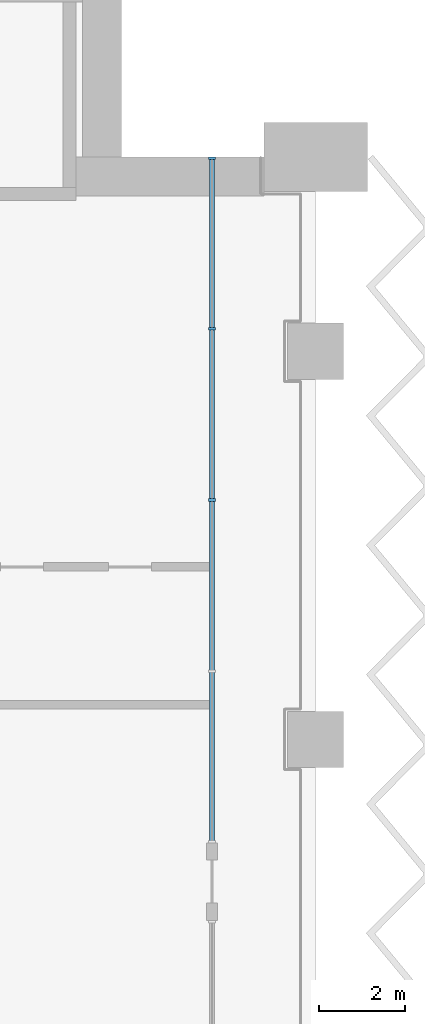
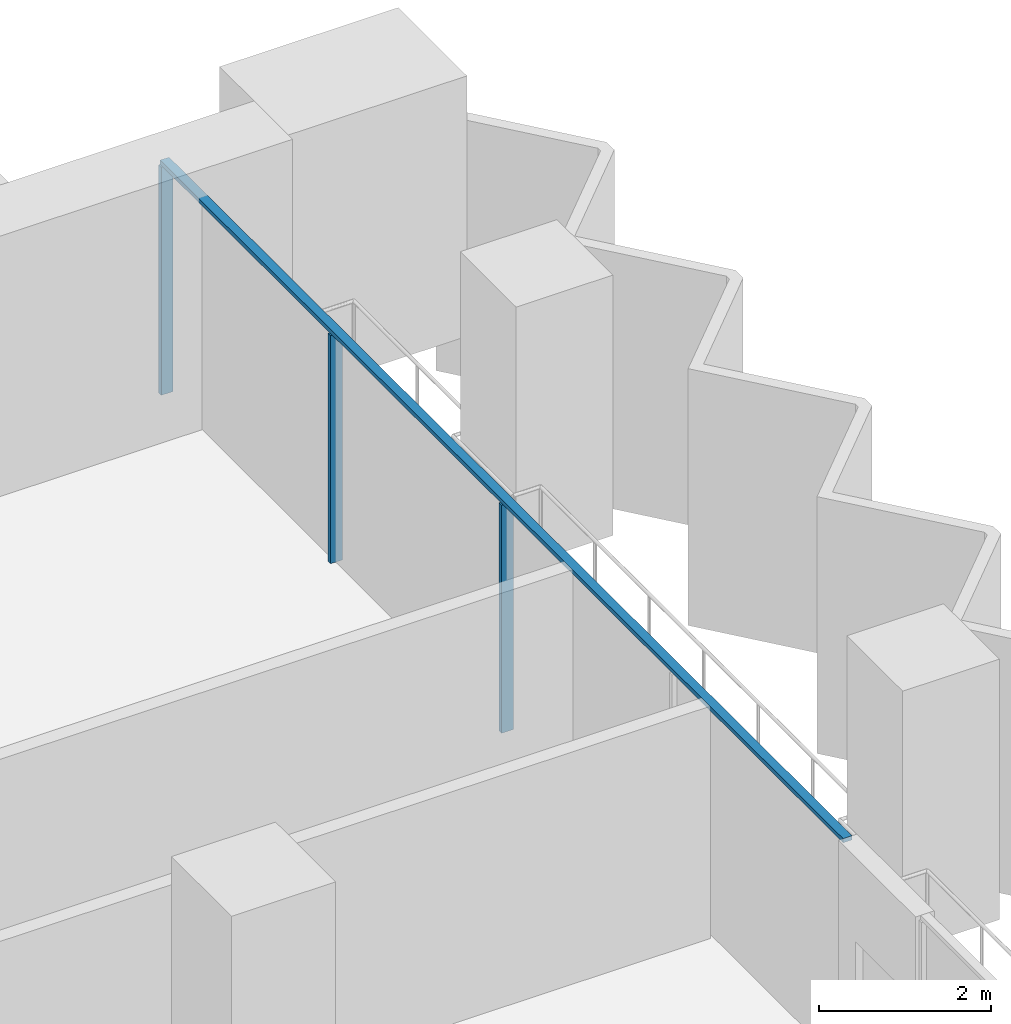
# One storey, part 7 of 28: 4 members, 1 element without a shape of its own.
"""IFC4 building model written with IfcOpenShell, lengths in metres."""

from ifc_helpers import new_model, si_unit, direction, frame, origin, origin_2d, place, context, subcontext, project, spatial, rectangle, extrude, material, material_profile, profile_set, type_object, element, aggregate, save


model = new_model("IFC4")

# Units and contexts
model_context = context("Model", 3, precision=1e-05, world=origin(), true_north=direction((0.0, 1.0)))
body_context = subcontext(model_context, "Body", "Model", "MODEL_VIEW")
ifc_project = project(units=[si_unit("LENGTHUNIT", "METRE"), si_unit("AREAUNIT", "SQUARE_METRE"), si_unit("VOLUMEUNIT", "CUBIC_METRE"), si_unit("PLANEANGLEUNIT", "RADIAN"), si_unit("MASSUNIT", "GRAM", prefix="KILO")], contexts=[model_context])

# Site, building, storey
site_placement = place(None, origin())
site = spatial("IfcSite", under=ifc_project, at=site_placement, CompositionType="ELEMENT")
building_placement = place(site_placement, origin())
building = spatial("IfcBuilding", under=site, at=building_placement, Name="Hunhe Ridgeline Campus", CompositionType="ELEMENT")
storey_placement = place(building_placement, frame((0.0, 0.0, 35.800048828125)))
storey = spatial("IfcBuildingStorey", under=building, at=storey_placement, Name="L07", CompositionType="ELEMENT", Elevation=35.800048828125)

# Curtain wall, members
ifc_material = material(Name="Aluminium 6063", Category="aluminium")
curtain_wall_type = type_object("IfcCurtainWallType", Name="Curtain wall CW-1", PredefinedType="NOTDEFINED", material=ifc_material)
curtain_wall_placement = place(storey_placement, origin())
curtain_wall = element("IfcCurtainWall", 1, at=curtain_wall_placement, inside=storey, type_object=curtain_wall_type, Name="Curtain wall 16", PredefinedType="NOTDEFINED")
ifc_material_profile_1 = material_profile(ifc_material, rectangle(XDim=0.159912109375, YDim=0.06005859375, at=origin_2d()))
ifc_profile_set_1 = profile_set([ifc_material_profile_1], Name="Aluminium 6063")
member_type_1 = type_object("IfcMemberType", Name="CW-1 aluminium mullion", PredefinedType="MULLION", material=ifc_profile_set_1)
member_1_placement = place(storey_placement, frame((96.59912109375, 86.55029296875, 0.0), z_axis=(0.0, 0.0, 1.0), x_axis=(-1.0, 0.0, 0.0)))
member_1 = element("IfcMember", 2, at=member_1_placement, type_object=member_type_1, Name="CW-1 mullion 3", PredefinedType="MULLION", context=body_context, shape_type="SweptSolid", body=[
    extrude(rectangle(XDim=0.159912109375, YDim=0.06005859375, at=origin_2d()), origin(), (0.0, 0.0, 1.0), 3.239990234375),
])
member_2_placement = place(storey_placement, frame((96.59912109375, 90.525146484375, 0.0), z_axis=(0.0, 0.0, 1.0), x_axis=(-1.0, 0.0, 0.0)))
member_2 = element("IfcMember", 3, at=member_2_placement, type_object=member_type_1, Name="CW-1 mullion 4", PredefinedType="MULLION", context=body_context, shape_type="SweptSolid", body=[
    extrude(rectangle(XDim=0.159912109375, YDim=0.06005859375, at=origin_2d()), origin(), (0.0, 0.0, 1.0), 3.239990234375),
])
member_3_placement = place(storey_placement, frame((96.59912109375, 94.469970703125, 0.0), z_axis=(0.0, 0.0, 1.0), x_axis=(-1.0, 0.0, 0.0)))
member_3 = element("IfcMember", 4, at=member_3_placement, type_object=member_type_1, Name="CW-1 mullion 5", PredefinedType="MULLION", context=body_context, shape_type="SweptSolid", body=[
    extrude(rectangle(XDim=0.159912109375, YDim=0.06005859375, at=origin_2d()), origin(), (0.0, 0.0, 1.0), 3.239990234375),
])
ifc_material_profile_2 = material_profile(ifc_material, rectangle(XDim=0.1201171875, YDim=0.06005859375, at=origin_2d()))
ifc_profile_set_2 = profile_set([ifc_material_profile_2], Name="Aluminium 6063")
member_type_2 = type_object("IfcMemberType", Name="CW-1 aluminium transom", PredefinedType="USERDEFINED", material=ifc_profile_set_2)
member_4_placement = place(storey_placement, frame((96.59912109375, 78.6005859375, 3.27001953125), z_axis=(0.0, 1.0, 0.0), x_axis=(-1.0, 0.0, 0.0)))
member_4 = element("IfcMember", 5, at=member_4_placement, type_object=member_type_2, Name="CW-1 transom 1", ObjectType="TRANSOM", PredefinedType="USERDEFINED", context=body_context, shape_type="SweptSolid", body=[
    extrude(rectangle(XDim=0.1201171875, YDim=0.06005859375, at=origin_2d()), origin(), (0.0, 0.0, 1.0), 15.8994140625),
])
aggregate(curtain_wall, [member_4, member_1, member_2, member_3])

save(model, "model.ifc")
